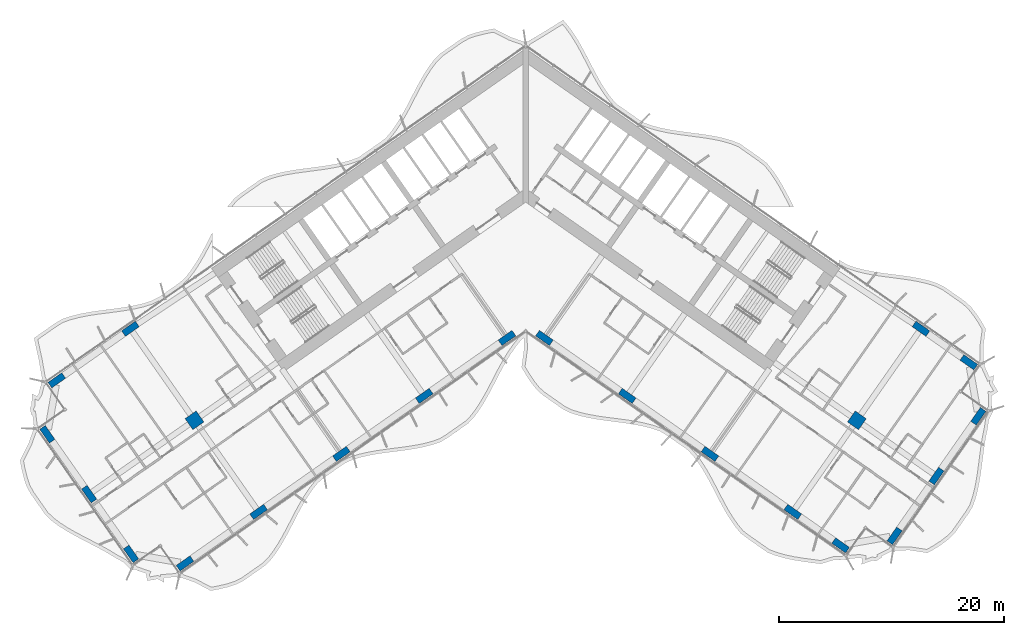
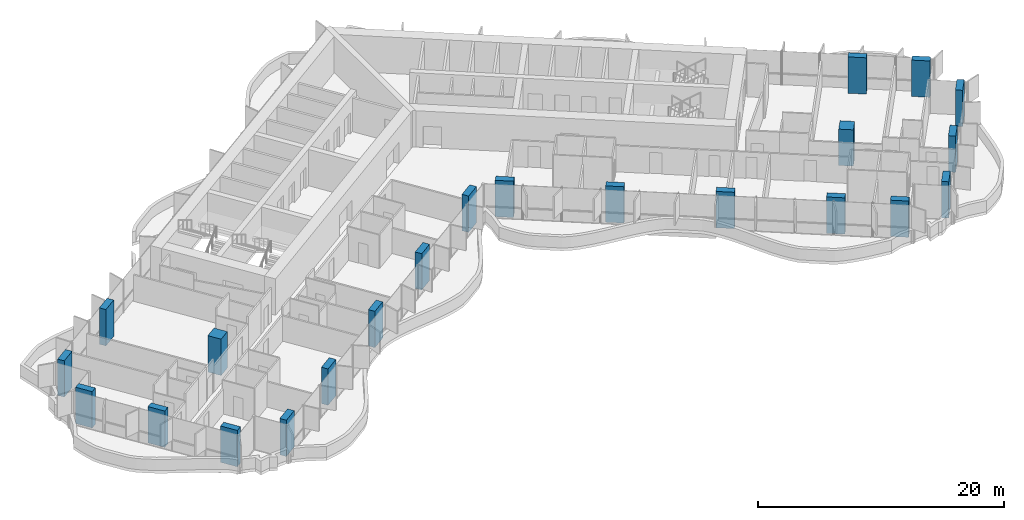
# One storey, part 1 of 23: 22 columns.
"""IFC4 building model written with IfcOpenShell, lengths in metres."""

from ifc_helpers import new_model, si_unit, direction, frame, origin, origin_2d, place, context, subcontext, project, spatial, rectangle, extrude, material, material_profile, profile_set, type_object, element, save


model = new_model("IFC4")

# Units and contexts
model_context = context("Model", 3, precision=1e-05, world=origin(), true_north=direction((0.0, 1.0)))
body_context = subcontext(model_context, "Body", "Model", "MODEL_VIEW")
ifc_project = project(units=[si_unit("LENGTHUNIT", "METRE"), si_unit("AREAUNIT", "SQUARE_METRE"), si_unit("VOLUMEUNIT", "CUBIC_METRE"), si_unit("PLANEANGLEUNIT", "RADIAN"), si_unit("MASSUNIT", "GRAM", prefix="KILO")], contexts=[model_context])

# Site, building, storey
site_placement = place(None, origin())
site = spatial("IfcSite", under=ifc_project, at=site_placement, CompositionType="ELEMENT")
building_placement = place(site_placement, origin())
building = spatial("IfcBuilding", under=site, at=building_placement, Name="Tel Ilan Convention Tower", CompositionType="ELEMENT")
storey_placement = place(building_placement, frame((0.0, 0.0, 86.89990234375)))
storey = spatial("IfcBuildingStorey", under=building, at=storey_placement, Name="L17", CompositionType="ELEMENT", Elevation=86.89990234375)

# Columns
ifc_material_1 = material(Name="Concrete C60/75", Category="concrete")
ifc_material_profile_1 = material_profile(ifc_material_1, rectangle(XDim=1.199951171875, YDim=1.199951171875, at=origin_2d()), Name="RC 1200x1200")
ifc_profile_set_1 = profile_set([ifc_material_profile_1], Name="Concrete C60/75")
column_type_1 = type_object("IfcColumnType", Name="Column RC 1200x1200 C60/75", PredefinedType="COLUMN", material=ifc_profile_set_1)
for number, where, z_axis, x_axis, name in (
    (1, (-29.489501953125, -20.648681640625, 0.0), (0.0, 0.0, 1.0), (-0.819152044289, -0.573576436351, 0.0), "L17 column W-M4"),
    (2, (29.489501953125, -20.648681640625, 0.0), (0.0, 0.0, 1.0), (0.819152044289, -0.573576436351, 0.0), "L17 column E-M4"),
):
    element("IfcColumn", number, at=place(storey_placement, frame(where, z_axis=z_axis, x_axis=x_axis)), inside=storey, type_object=column_type_1, Name=name, PredefinedType="COLUMN", context=body_context, shape_type="SweptSolid", body=[
        extrude(rectangle(XDim=1.199951171875, YDim=1.199951171875, at=origin_2d()), origin(), (0.0, 0.0, 1.0), 3.60009765625),
    ])
ifc_material_2 = material(Name="Concrete C60/75", Category="concrete")
ifc_material_profile_2 = material_profile(ifc_material_2, rectangle(XDim=1.5, YDim=0.60009765625, at=origin_2d()), Name="RC 600x1500")
ifc_profile_set_2 = profile_set([ifc_material_profile_2], Name="Concrete C60/75")
column_type_2 = type_object("IfcColumnType", Name="Column RC 600x1500 C60/75", PredefinedType="COLUMN", material=ifc_profile_set_2)
for number, where, z_axis, x_axis, name in (
    (3, (-1.665283203125, -13.312744140625, 0.0), (0.0, 0.0, 1.0), (-0.819152044289, -0.573576436351, 0.0), "L17 column W-F1"),
    (4, (-9.03759765625, -18.474853515625, 0.0), (0.0, 0.0, 1.0), (-0.819152044289, -0.573576436351, 0.0), "L17 column W-F2"),
    (5, (-16.409912109375, -23.63720703125, 0.0), (0.0, 0.0, 1.0), (-0.819152044289, -0.573576436351, 0.0), "L17 column W-F3"),
    (6, (-23.782470703125, -28.79931640625, 0.0), (0.0, 0.0, 1.0), (-0.819152044289, -0.573576436351, 0.0), "L17 column W-F4"),
    (7, (-30.335693359375, -33.387939453125, 0.0), (0.0, 0.0, 1.0), (-0.819152044289, -0.573576436351, 0.0), "L17 column W-FC"),
    (8, (-35.196533203125, -12.498291015625, 0.0), (0.0, 0.0, 1.0), (-0.819152044289, -0.573576436351, 0.0), "L17 column W-B4"),
    (9, (-41.749755859375, -17.0869140625, 0.0), (0.0, 0.0, 1.0), (-0.819152044289, -0.573576436351, 0.0), "L17 column W-BC"),
    (10, (-35.140380859375, -32.540771484375, 0.0), (0.0, 0.0, 1.0), (-0.573576436351, 0.819152044289, 0.0), "L17 column W-E1"),
    (11, (-38.868896484375, -27.21630859375, 0.0), (0.0, 0.0, 1.0), (-0.573576436351, 0.819152044289, 0.0), "L17 column W-E2"),
    (12, (-42.596923828125, -21.8916015625, 0.0), (0.0, 0.0, 1.0), (-0.573576436351, 0.819152044289, 0.0), "L17 column W-E3"),
    (13, (1.665283203125, -13.312744140625, 0.0), (0.0, 0.0, 1.0), (0.819152044289, -0.573576436351, 0.0), "L17 column E-F1"),
    (14, (9.03759765625, -18.474853515625, 0.0), (0.0, 0.0, 1.0), (0.819152044289, -0.573576436351, 0.0), "L17 column E-F2"),
    (15, (16.409912109375, -23.63720703125, 0.0), (0.0, 0.0, 1.0), (0.819152044289, -0.573576436351, 0.0), "L17 column E-F3"),
    (16, (23.782470703125, -28.79931640625, 0.0), (0.0, 0.0, 1.0), (0.819152044289, -0.573576436351, 0.0), "L17 column E-F4"),
    (17, (28.0419921875, -31.781982421875, 0.0), (0.0, 0.0, 1.0), (0.819152044289, -0.573576436351, 0.0), "L17 column E-FC"),
    (18, (35.196533203125, -12.498291015625, 0.0), (0.0, 0.0, 1.0), (0.819152044289, -0.573576436351, 0.0), "L17 column E-B4"),
    (19, (39.4560546875, -15.480712890625, 0.0), (0.0, 0.0, 1.0), (0.819152044289, -0.573576436351, 0.0), "L17 column E-BC"),
    (20, (32.846923828125, -30.934814453125, 0.0), (0.0, 0.0, 1.0), (0.573576436351, 0.819152044289, 0.0), "L17 column E-E1"),
    (21, (36.5751953125, -25.610107421875, 0.0), (0.0, 0.0, 1.0), (0.573576436351, 0.819152044289, 0.0), "L17 column E-E2"),
    (22, (40.303466796875, -20.28564453125, 0.0), (0.0, 0.0, 1.0), (0.573576436351, 0.819152044289, 0.0), "L17 column E-E3"),
):
    element("IfcColumn", number, at=place(storey_placement, frame(where, z_axis=z_axis, x_axis=x_axis)), inside=storey, type_object=column_type_2, Name=name, PredefinedType="COLUMN", context=body_context, shape_type="SweptSolid", body=[
        extrude(rectangle(XDim=1.5, YDim=0.60009765625, at=origin_2d()), origin(), (0.0, 0.0, 1.0), 3.60009765625),
    ])

save(model, "model.ifc")
